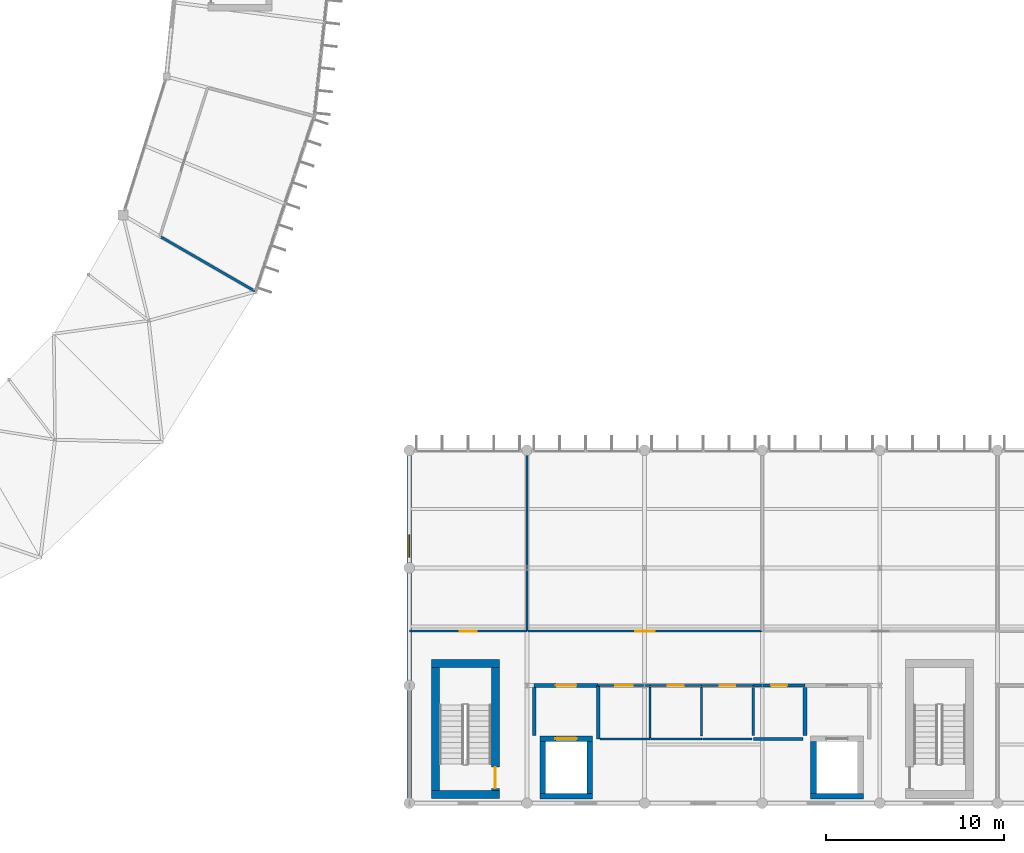
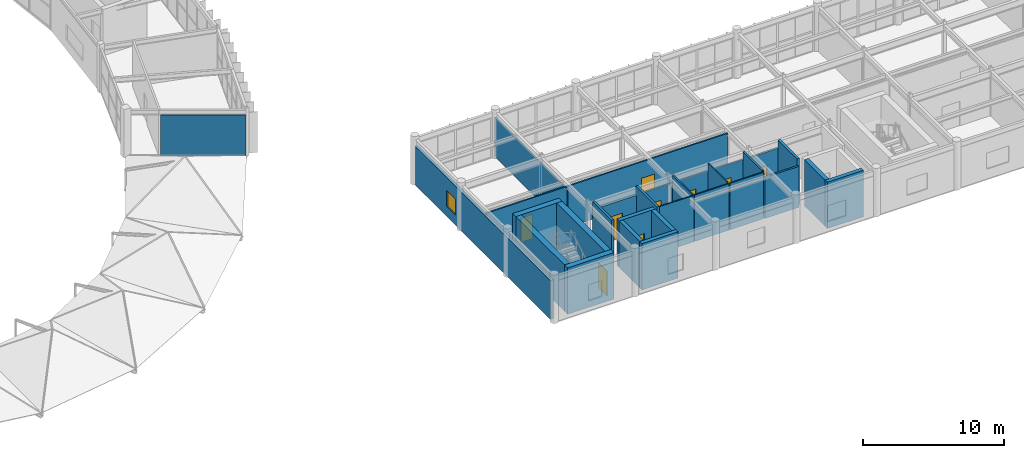
# One storey, part 55 of 66: 30 walls, 9 doors, 1 window, 10 openings.
"""IFC4 building model written with IfcOpenShell, lengths in metres."""

from ifc_helpers import new_model, si_unit, direction, frame, frame_2d, origin, place, context, subcontext, project, spatial, rectangle, extrude, material, layer, layer_set, type_object, element, fill, save


model = new_model("IFC4")

# Units and contexts
model_context = context("Model", 3, precision=1e-05, world=origin(), true_north=direction((0.0, 1.0)))
body_context = subcontext(model_context, "Body", "Model", "MODEL_VIEW")
ifc_project = project(units=[si_unit("LENGTHUNIT", "METRE"), si_unit("AREAUNIT", "SQUARE_METRE"), si_unit("VOLUMEUNIT", "CUBIC_METRE"), si_unit("PLANEANGLEUNIT", "RADIAN"), si_unit("MASSUNIT", "GRAM", prefix="KILO")], contexts=[model_context])

# Site, building, storey
site_placement = place(None, origin())
site = spatial("IfcSite", under=ifc_project, at=site_placement, CompositionType="ELEMENT")
building_placement = place(site_placement, origin())
building = spatial("IfcBuilding", under=site, at=building_placement, Name="Karori Crest Natural Sciences Institute", CompositionType="ELEMENT")
storey_placement = place(building_placement, frame((0.0, 0.0, 30.10009765625)))
storey = spatial("IfcBuildingStorey", under=building, at=storey_placement, Name="L07", CompositionType="ELEMENT", Elevation=30.10009765625)

# Walls
ifc_material_1 = material(Name="Concrete 50 MPa", Category="concrete")
ifc_layer_1 = layer(ifc_material_1, 0.449951171875, Name="Concrete 50 MPa")
ifc_layer_set_1 = layer_set([ifc_layer_1], Name="Concrete 50 MPa")
wall_type_1 = type_object("IfcWallType", Name="IWT-01", PredefinedType="SHEAR", material=ifc_layer_set_1)
for number, where, z_axis, x_axis, name in (
    (1, (104.85009765625, 1.27490234375, 0.0), (0.0, 0.0, 1.0), (1.0, 0.0, 0.0), "Shear wall IW-0101"),
    (2, (104.85009765625, 8.625, 0.0), (0.0, 0.0, 1.0), (1.0, 0.0, 0.0), "Shear wall IW-0102"),
):
    element("IfcWall", number, at=place(storey_placement, frame(where, z_axis=z_axis, x_axis=x_axis)), inside=storey, type_object=wall_type_1, Name=name, PredefinedType="SHEAR", context=body_context, shape_type="SweptSolid", body=[
        extrude(rectangle(XDim=3.7998046875, YDim=0.449951171875, at=frame_2d((1.89990234375, 0.0))), origin(), (0.0, 0.0, 1.0), 4.02001953125),
    ])
wall_1_placement = place(storey_placement, frame((105.074951171875, 1.501953125, 0.0), z_axis=(0.0, 0.0, 1.0), x_axis=(0.0, 1.0, 0.0)))
element("IfcWall", 3, at=wall_1_placement, inside=storey, type_object=wall_type_1, Name="Shear wall IW-0103", PredefinedType="SHEAR", context=body_context, shape_type="SweptSolid", body=[
    extrude(rectangle(XDim=6.89599609375, YDim=0.449951171875, at=frame_2d((3.447998046875, 0.0))), origin(), (0.0, 0.0, 1.0), 4.02001953125),
])

# Wall, opening, door
wall_2_placement = place(storey_placement, frame((108.425048828125, 1.501953125, 0.0), z_axis=(0.0, 0.0, 1.0), x_axis=(0.0, 1.0, 0.0)))
wall_2 = element("IfcWall", 4, at=wall_2_placement, inside=storey, type_object=wall_type_1, Name="Shear wall IW-0104", PredefinedType="SHEAR", context=body_context, shape_type="SweptSolid", body=[
    extrude(rectangle(XDim=6.89599609375, YDim=0.449951171875, at=frame_2d((3.447998046875, 0.0))), origin(), (0.0, 0.0, 1.0), 4.02001953125),
])
opening_1_placement = place(wall_2_placement, frame((0.1201171875, 0.0, 0.0)))
opening_1 = element("IfcOpeningElement", 5, at=opening_1_placement, cuts=wall_2, Name="Opening ID-0026", PredefinedType="OPENING", context=body_context, shape_type="SweptSolid", body=[
    extrude(rectangle(XDim=1.199951171875, YDim=2.14990234375, at=frame_2d((0.60009765625, 1.074951171875))), frame((0.0, 0.23486328125, 0.0), z_axis=(0.0, -1.0, 0.0), x_axis=(1.0, 0.0, 0.0)), (0.0, 0.0, 1.0), 0.469970703125),
])
ifc_material_2 = material(Name="Stainless steel 316 and fire-rated timber", Category="steel")
door_type_1 = type_object("IfcDoorType", Name="IDT-01", OperationType="NOTDEFINED", PredefinedType="DOOR", material=ifc_material_2)
door_1_placement = place(opening_1_placement, origin())
door_1 = element("IfcDoor", 6, at=door_1_placement, inside=storey, type_object=door_type_1, Name="Stair ST-03 fire door ID-0026", OperationType="SINGLE_SWING_RIGHT", OverallHeight=2.14990234375, OverallWidth=1.199951171875, PredefinedType="DOOR", context=body_context, shape_type="SweptSolid", body=[
    extrude(rectangle(XDim=1.199951171875, YDim=2.14990234375, at=frame_2d((0.60009765625, 1.074951171875))), frame((0.0, 0.02490234375, 0.0), z_axis=(0.0, -1.0, 0.0), x_axis=(1.0, 0.0, 0.0)), (0.0, 0.0, 1.0), 0.050048828125),
])
fill(opening_1, door_1)

# Wall
ifc_layer_2 = layer(ifc_material_1, 0.320068359375, Name="Concrete 50 MPa")
ifc_layer_set_2 = layer_set([ifc_layer_2], Name="Concrete 50 MPa")
wall_type_2 = type_object("IfcWallType", Name="IWT-03", PredefinedType="SHEAR", material=ifc_layer_set_2)
wall_3_placement = place(storey_placement, frame((110.919921875, 1.179931640625, 0.0), z_axis=(0.0, 0.0, 1.0), x_axis=(1.0, 0.0, 0.0)))
element("IfcWall", 7, at=wall_3_placement, inside=storey, type_object=wall_type_2, Name="Shear wall IW-0337", PredefinedType="SHEAR", context=body_context, shape_type="SweptSolid", body=[
    extrude(rectangle(XDim=2.9599609375, YDim=0.320068359375, at=frame_2d((1.47998046875, 0.0))), origin(), (0.0, 0.0, 1.0), 4.02001953125),
])

# Wall, opening, door
wall_4_placement = place(storey_placement, frame((110.919921875, 4.419921875, 0.0), z_axis=(0.0, 0.0, 1.0), x_axis=(1.0, 0.0, 0.0)))
wall_4 = element("IfcWall", 8, at=wall_4_placement, inside=storey, type_object=wall_type_2, Name="Shear wall IW-0338", PredefinedType="SHEAR", context=body_context, shape_type="SweptSolid", body=[
    extrude(rectangle(XDim=2.9599609375, YDim=0.320068359375, at=frame_2d((1.47998046875, 0.0))), origin(), (0.0, 0.0, 1.0), 4.02001953125),
])
opening_2_placement = place(wall_4_placement, frame((0.8798828125, 0.0, 0.0)))
opening_2 = element("IfcOpeningElement", 9, at=opening_2_placement, cuts=wall_4, Name="Opening LD-0009", PredefinedType="OPENING", context=body_context, shape_type="SweptSolid", body=[
    extrude(rectangle(XDim=1.199951171875, YDim=2.199951171875, at=frame_2d((0.60009765625, 1.10009765625))), frame((0.0, 0.169921875, 0.0), z_axis=(0.0, -1.0, 0.0), x_axis=(1.0, 0.0, 0.0)), (0.0, 0.0, 1.0), 0.340087890625),
])
door_type_2 = type_object("IfcDoorType", Name="LDT-02", OperationType="SLIDING_TO_LEFT", PredefinedType="DOOR", material=ifc_material_2)
door_2_placement = place(opening_2_placement, origin())
door_2 = element("IfcDoor", 10, at=door_2_placement, inside=storey, type_object=door_type_2, Name="Lift LF-01 landing door LD-0009", OperationType="SLIDING_TO_LEFT", OverallHeight=2.199951171875, OverallWidth=1.199951171875, PredefinedType="DOOR", context=body_context, shape_type="SweptSolid", body=[
    extrude(rectangle(XDim=1.199951171875, YDim=2.199951171875, at=frame_2d((0.60009765625, 1.10009765625))), frame((0.0, 0.02490234375, 0.0), z_axis=(0.0, -1.0, 0.0), x_axis=(1.0, 0.0, 0.0)), (0.0, 0.0, 1.0), 0.050048828125),
])
fill(opening_2, door_2)

# Walls
for number, where, z_axis, x_axis, name in (
    (11, (111.080078125, 1.342041015625, 0.0), (0.0, 0.0, 1.0), (0.0, 1.0, 0.0), "Shear wall IW-0339"),
    (12, (113.719970703125, 1.342041015625, 0.0), (0.0, 0.0, 1.0), (0.0, 1.0, 0.0), "Shear wall IW-0340"),
):
    element("IfcWall", number, at=place(storey_placement, frame(where, z_axis=z_axis, x_axis=x_axis)), inside=storey, type_object=wall_type_2, Name=name, PredefinedType="SHEAR", context=body_context, shape_type="SweptSolid", body=[
        extrude(rectangle(XDim=2.916015625, YDim=0.320068359375, at=frame_2d((1.4580078125, 0.0))), origin(), (0.0, 0.0, 1.0), 4.02001953125),
    ])
wall_5_placement = place(storey_placement, frame((126.1201171875, 1.179931640625, 0.0), z_axis=(0.0, 0.0, 1.0), x_axis=(1.0, 0.0, 0.0)))
element("IfcWall", 13, at=wall_5_placement, inside=storey, type_object=wall_type_2, Name="Shear wall IW-0385", PredefinedType="SHEAR", context=body_context, shape_type="SweptSolid", body=[
    extrude(rectangle(XDim=2.9599609375, YDim=0.320068359375, at=frame_2d((1.47998046875, 0.0))), origin(), (0.0, 0.0, 1.0), 4.02001953125),
])
wall_6_placement = place(storey_placement, frame((126.280029296875, 1.342041015625, 0.0), z_axis=(0.0, 0.0, 1.0), x_axis=(0.0, 1.0, 0.0)))
element("IfcWall", 14, at=wall_6_placement, inside=storey, type_object=wall_type_2, Name="Shear wall IW-0387", PredefinedType="SHEAR", context=body_context, shape_type="SweptSolid", body=[
    extrude(rectangle(XDim=2.916015625, YDim=0.320068359375, at=frame_2d((1.4580078125, 0.0))), origin(), (0.0, 0.0, 1.0), 4.02001953125),
])

# Wall, opening, door
ifc_material_3 = material(Name="Concrete 40 MPa", Category="concrete")
ifc_layer_3 = layer(ifc_material_3, 0.199951171875, Name="Concrete 40 MPa")
ifc_layer_set_3 = layer_set([ifc_layer_3], Name="Concrete 40 MPa")
wall_type_3 = type_object("IfcWallType", Name="IWT-04", PredefinedType="SOLIDWALL", material=ifc_layer_set_3)
wall_7_placement = place(storey_placement, frame((110.60009765625, 7.39990234375, 0.0), z_axis=(0.0, 0.0, 1.0), x_axis=(1.0, 0.0, 0.0)))
wall_7 = element("IfcWall", 15, at=wall_7_placement, inside=storey, type_object=wall_type_3, Name="Partition wall IW-0780", PredefinedType="SOLIDWALL", context=body_context, shape_type="SweptSolid", body=[
    extrude(rectangle(XDim=3.599853515625, YDim=0.199951171875, at=frame_2d((1.7998046875, 0.0))), origin(), (0.0, 0.0, 1.0), 3.29296875),
])
opening_3_placement = place(wall_7_placement, frame((1.22509765625, 0.0, 0.0)))
opening_3 = element("IfcOpeningElement", 16, at=opening_3_placement, cuts=wall_7, Name="Opening ID-0174", PredefinedType="OPENING", context=body_context, shape_type="SweptSolid", body=[
    extrude(rectangle(XDim=1.14990234375, YDim=2.14990234375, at=frame_2d((0.574951171875, 1.074951171875))), frame((0.0, 0.10986328125, 0.0), z_axis=(0.0, -1.0, 0.0), x_axis=(1.0, 0.0, 0.0)), (0.0, 0.0, 1.0), 0.219970703125),
])
door_type_3 = type_object("IfcDoorType", Name="IDT-02", OperationType="NOTDEFINED", PredefinedType="DOOR", material=ifc_material_2)
door_3_placement = place(opening_3_placement, origin())
door_3 = element("IfcDoor", 17, at=door_3_placement, inside=storey, type_object=door_type_3, Name="Firefighting Lift Lobby West door ID-0174", OperationType="SINGLE_SWING_LEFT", OverallHeight=2.14990234375, OverallWidth=1.14990234375, PredefinedType="DOOR", context=body_context, shape_type="SweptSolid", body=[
    extrude(rectangle(XDim=1.14990234375, YDim=2.14990234375, at=frame_2d((0.574951171875, 1.074951171875))), frame((0.0, 0.02490234375, 0.0), z_axis=(0.0, -1.0, 0.0), x_axis=(1.0, 0.0, 0.0)), (0.0, 0.0, 1.0), 0.050048828125),
])
fill(opening_3, door_3)

# Walls
wall_8_placement = place(storey_placement, frame((110.60009765625, 4.58203125, 0.0), z_axis=(0.0, 0.0, 1.0), x_axis=(0.0, 1.0, 0.0)))
element("IfcWall", 18, at=wall_8_placement, inside=storey, type_object=wall_type_3, Name="Partition wall IW-0781", PredefinedType="SOLIDWALL", context=body_context, shape_type="SweptSolid", body=[
    extrude(rectangle(XDim=2.716064453125, YDim=0.199951171875, at=frame_2d((1.35791015625, 0.0))), origin(), (0.0, 0.0, 1.0), 4.02001953125),
])
wall_9_placement = place(storey_placement, frame((114.199951171875, 4.39990234375, 0.0), z_axis=(0.0, 0.0, 1.0), x_axis=(0.0, 1.0, 0.0)))
element("IfcWall", 19, at=wall_9_placement, inside=storey, type_object=wall_type_3, Name="Partition wall IW-0782", PredefinedType="SOLIDWALL", context=body_context, shape_type="SweptSolid", body=[
    extrude(rectangle(XDim=3.0, YDim=0.199951171875, at=frame_2d((1.5, 0.0))), origin(), (0.0, 0.0, 1.0), 4.02001953125),
])
wall_10_placement = place(storey_placement, frame((125.800048828125, 4.58203125, 0.0), z_axis=(0.0, 0.0, 1.0), x_axis=(0.0, 1.0, 0.0)))
element("IfcWall", 20, at=wall_10_placement, inside=storey, type_object=wall_type_3, Name="Partition wall IW-0784", PredefinedType="SOLIDWALL", context=body_context, shape_type="SweptSolid", body=[
    extrude(rectangle(XDim=2.716064453125, YDim=0.199951171875, at=frame_2d((1.35791015625, 0.0))), origin(), (0.0, 0.0, 1.0), 4.02001953125),
])
ifc_material_4 = material(Name="Acoustic steel-stud fireboard partition", Category="steel")
ifc_layer_4 = layer(ifc_material_4, 0.159912109375, Name="Acoustic steel-stud fireboard partition")
ifc_layer_set_4 = layer_set([ifc_layer_4], Name="Acoustic steel-stud fireboard partition")
wall_type_4 = type_object("IfcWallType", Name="IWT-05", PredefinedType="PARTITIONING", material=ifc_layer_set_4)
wall_11_placement = place(storey_placement, frame((122.89990234375, 4.39990234375, 0.0), z_axis=(0.0, 0.0, 1.0), x_axis=(1.0, 0.0, 0.0)))
element("IfcWall", 21, at=wall_11_placement, inside=storey, type_object=wall_type_4, Name="Partition wall IW-0786", PredefinedType="PARTITIONING", context=body_context, shape_type="SweptSolid", body=[
    extrude(rectangle(XDim=2.798095703125, YDim=0.159912109375, at=frame_2d((1.39892578125, 0.0))), origin(), (0.0, 0.0, 1.0), 3.5458984375),
])

# Wall, opening, door
wall_12_placement = place(storey_placement, frame((122.89990234375, 7.39990234375, 0.0), z_axis=(0.0, 0.0, 1.0), x_axis=(1.0, 0.0, 0.0)))
wall_12 = element("IfcWall", 22, at=wall_12_placement, inside=storey, type_object=wall_type_4, Name="Partition wall IW-0787", PredefinedType="PARTITIONING", context=body_context, shape_type="SweptSolid", body=[
    extrude(rectangle(XDim=2.898193359375, YDim=0.159912109375, at=frame_2d((1.44921875, 0.0))), origin(), (0.0, 0.0, 1.0), 3.29296875),
])
opening_4_placement = place(wall_12_placement, frame((0.9990234375, 0.0, 0.0)))
opening_4 = element("IfcOpeningElement", 23, at=opening_4_placement, cuts=wall_12, Name="Opening ID-0176", PredefinedType="OPENING", context=body_context, shape_type="SweptSolid", body=[
    extrude(rectangle(XDim=0.89990234375, YDim=2.10009765625, at=frame_2d((0.449951171875, 1.050048828125))), frame((0.0, 0.08984375, 0.0), z_axis=(0.0, -1.0, 0.0), x_axis=(1.0, 0.0, 0.0)), (0.0, 0.0, 1.0), 0.179931640625),
])
door_type_4 = type_object("IfcDoorType", Name="IDT-07", OperationType="NOTDEFINED", PredefinedType="DOOR", material=ifc_material_2)
door_4_placement = place(opening_4_placement, origin())
door_4 = element("IfcDoor", 24, at=door_4_placement, inside=storey, type_object=door_type_4, Name="Research Archive Store door ID-0176", OperationType="SINGLE_SWING_LEFT", OverallHeight=2.10009765625, OverallWidth=0.89990234375, PredefinedType="DOOR", context=body_context, shape_type="SweptSolid", body=[
    extrude(rectangle(XDim=0.89990234375, YDim=2.10009765625, at=frame_2d((0.449951171875, 1.050048828125))), frame((0.0, 0.02490234375, 0.0), z_axis=(0.0, -1.0, 0.0), x_axis=(1.0, 0.0, 0.0)), (0.0, 0.0, 1.0), 0.050048828125),
])
fill(opening_4, door_4)

# Walls
wall_13_placement = place(storey_placement, frame((122.89990234375, 4.58203125, 0.0), z_axis=(0.0, 0.0, 1.0), x_axis=(0.0, 1.0, 0.0)))
element("IfcWall", 25, at=wall_13_placement, inside=storey, type_object=wall_type_4, Name="Partition wall IW-0788", PredefinedType="PARTITIONING", context=body_context, shape_type="SweptSolid", body=[
    extrude(rectangle(XDim=2.716064453125, YDim=0.159912109375, at=frame_2d((1.35791015625, 0.0))), origin(), (0.0, 0.0, 1.0), 4.02001953125),
])
ifc_material_5 = material(Name="Laboratory acoustic drywall partition")
ifc_layer_5 = layer(ifc_material_5, 0.139892578125, Name="Laboratory acoustic drywall partition")
ifc_layer_set_5 = layer_set([ifc_layer_5], Name="Laboratory acoustic drywall partition")
wall_type_5 = type_object("IfcWallType", Name="IWT-07", PredefinedType="PARTITIONING", material=ifc_layer_set_5)
wall_14_placement = place(storey_placement, frame((89.6787109375, 32.56005859375, 0.0), z_axis=(0.0, 0.0, 1.0), x_axis=(0.866020543329, -0.500008418462, 0.0)))
element("IfcWall", 26, at=wall_14_placement, inside=storey, type_object=wall_type_5, Name="Partition wall IW-1441", PredefinedType="PARTITIONING", context=body_context, shape_type="SweptSolid", body=[
    extrude(rectangle(XDim=6.06005859375, YDim=0.139892578125, at=frame_2d((3.030029296875, 0.0))), origin(), (0.0, 0.0, 1.0), 3.52197265625),
])

# Wall, opening, door
ifc_material_6 = material(Name="Write-up office acoustic partition")
ifc_layer_6 = layer(ifc_material_6, 0.1201171875, Name="Write-up office acoustic partition")
ifc_layer_set_6 = layer_set([ifc_layer_6], Name="Write-up office acoustic partition")
wall_type_6 = type_object("IfcWallType", Name="IWT-08", PredefinedType="PARTITIONING", material=ifc_layer_set_6)
wall_15_placement = place(storey_placement, frame((103.60009765625, 10.449951171875, 0.0), z_axis=(0.0, 0.0, 1.0), x_axis=(1.0, 0.0, 0.0)))
wall_15 = element("IfcWall", 27, at=wall_15_placement, inside=storey, type_object=wall_type_6, Name="Partition wall IW-0801", PredefinedType="PARTITIONING", context=body_context, shape_type="SweptSolid", body=[
    extrude(rectangle(XDim=6.599853515625, YDim=0.1201171875, at=frame_2d((3.2998046875, 0.0))), origin(), (0.0, 0.0, 1.0), 3.5458984375),
])
opening_5_placement = place(wall_15_placement, frame((2.824951171875, 0.0, 0.0)))
opening_5 = element("IfcOpeningElement", 28, at=opening_5_placement, cuts=wall_15, Name="Opening ID-0182", PredefinedType="OPENING", context=body_context, shape_type="SweptSolid", body=[
    extrude(rectangle(XDim=0.949951171875, YDim=2.10009765625, at=frame_2d((0.47509765625, 1.050048828125))), frame((0.0, 0.070068359375, 0.0), z_axis=(0.0, -1.0, 0.0), x_axis=(1.0, 0.0, 0.0)), (0.0, 0.0, 1.0), 0.14013671875),
])
ifc_material_7 = material(Name="Anodised aluminium and acoustic timber", Category="wood")
door_type_5 = type_object("IfcDoorType", Name="IDT-08", OperationType="NOTDEFINED", PredefinedType="DOOR", material=ifc_material_7)
door_5_placement = place(opening_5_placement, origin())
door_5 = element("IfcDoor", 29, at=door_5_placement, inside=storey, type_object=door_type_5, Name="Collaborative Write-Up Suite door ID-0182", OperationType="SINGLE_SWING_LEFT", OverallHeight=2.10009765625, OverallWidth=0.949951171875, PredefinedType="DOOR", context=body_context, shape_type="SweptSolid", body=[
    extrude(rectangle(XDim=0.949951171875, YDim=2.10009765625, at=frame_2d((0.47509765625, 1.050048828125))), frame((0.0, 0.02490234375, 0.0), z_axis=(0.0, -1.0, 0.0), x_axis=(1.0, 0.0, 0.0)), (0.0, 0.0, 1.0), 0.050048828125),
])
fill(opening_5, door_5)

# Wall
wall_16_placement = place(storey_placement, frame((110.199951171875, 10.449951171875, 0.0), z_axis=(0.0, 0.0, 1.0), x_axis=(0.0, 1.0, 0.0)))
element("IfcWall", 30, at=wall_16_placement, inside=storey, type_object=wall_type_6, Name="Partition wall IW-0802", PredefinedType="PARTITIONING", context=body_context, shape_type="SweptSolid", body=[
    extrude(rectangle(XDim=10.150146484375, YDim=0.1201171875, at=frame_2d((5.0751953125, 0.0))), origin(), (0.0, 0.0, 1.0), 3.371826171875),
])

# Wall, opening, door
wall_17_placement = place(storey_placement, frame((110.261962890625, 10.449951171875, 0.0), z_axis=(0.0, 0.0, 1.0), x_axis=(1.0, 0.0, 0.0)))
wall_17 = element("IfcWall", 31, at=wall_17_placement, inside=storey, type_object=wall_type_6, Name="Partition wall IW-0803", PredefinedType="PARTITIONING", context=body_context, shape_type="SweptSolid", body=[
    extrude(rectangle(XDim=13.137939453125, YDim=0.1201171875, at=frame_2d((6.56884765625, 0.0))), origin(), (0.0, 0.0, 1.0), 3.5458984375),
])
opening_6_placement = place(wall_17_placement, frame((6.029052734375, 0.0, 0.0)))
opening_6 = element("IfcOpeningElement", 32, at=opening_6_placement, cuts=wall_17, Name="Opening ID-0183", PredefinedType="OPENING", context=body_context, shape_type="SweptSolid", body=[
    extrude(rectangle(XDim=1.080078125, YDim=2.1201171875, at=frame_2d((0.5400390625, 1.06005859375))), frame((0.0, 0.070068359375, 0.0), z_axis=(0.0, -1.0, 0.0), x_axis=(1.0, 0.0, 0.0)), (0.0, 0.0, 1.0), 0.14013671875),
])
door_type_6 = type_object("IfcDoorType", Name="IDT-12", OperationType="NOTDEFINED", PredefinedType="DOOR", material=ifc_material_7)
door_6_placement = place(opening_6_placement, origin())
door_6 = element("IfcDoor", 33, at=door_6_placement, inside=storey, type_object=door_type_6, Name="Climate Data Studio door ID-0183", OperationType="SINGLE_SWING_RIGHT", OverallHeight=2.1201171875, OverallWidth=1.080078125, PredefinedType="DOOR", context=body_context, shape_type="SweptSolid", body=[
    extrude(rectangle(XDim=1.080078125, YDim=2.1201171875, at=frame_2d((0.5400390625, 1.06005859375))), frame((0.0, 0.02490234375, 0.0), z_axis=(0.0, -1.0, 0.0), x_axis=(1.0, 0.0, 0.0)), (0.0, 0.0, 1.0), 0.050048828125),
])
fill(opening_6, door_6)

# Wall
ifc_material_8 = material(Name="Washroom moisture-resistant partition")
ifc_layer_7 = layer(ifc_material_8, 0.10009765625, Name="Washroom moisture-resistant partition")
ifc_layer_set_7 = layer_set([ifc_layer_7], Name="Washroom moisture-resistant partition")
wall_type_7 = type_object("IfcWallType", Name="IWT-09", PredefinedType="PARTITIONING", material=ifc_layer_set_7)
wall_18_placement = place(storey_placement, frame((114.302001953125, 4.39990234375, 0.0), z_axis=(0.0, 0.0, 1.0), x_axis=(1.0, 0.0, 0.0)))
element("IfcWall", 34, at=wall_18_placement, inside=storey, type_object=wall_type_7, Name="Partition wall IW-0789", PredefinedType="PARTITIONING", context=body_context, shape_type="SweptSolid", body=[
    extrude(rectangle(XDim=2.798095703125, YDim=0.10009765625, at=frame_2d((1.39892578125, 0.0))), origin(), (0.0, 0.0, 1.0), 4.02001953125),
])

# Wall, opening, door
wall_19_placement = place(storey_placement, frame((114.201904296875, 7.39990234375, 0.0), z_axis=(0.0, 0.0, 1.0), x_axis=(1.0, 0.0, 0.0)))
wall_19 = element("IfcWall", 35, at=wall_19_placement, inside=storey, type_object=wall_type_7, Name="Partition wall IW-0790", PredefinedType="PARTITIONING", context=body_context, shape_type="SweptSolid", body=[
    extrude(rectangle(XDim=2.898193359375, YDim=0.10009765625, at=frame_2d((1.44921875, 0.0))), origin(), (0.0, 0.0, 1.0), 3.29296875),
])
opening_7_placement = place(wall_19_placement, frame((0.948974609375, 0.0, 0.0)))
opening_7 = element("IfcOpeningElement", 36, at=opening_7_placement, cuts=wall_19, Name="Opening ID-0177", PredefinedType="OPENING", context=body_context, shape_type="SweptSolid", body=[
    extrude(rectangle(XDim=1.0, YDim=2.10009765625, at=frame_2d((0.5, 1.050048828125))), frame((0.0, 0.06005859375, 0.0), z_axis=(0.0, -1.0, 0.0), x_axis=(1.0, 0.0, 0.0)), (0.0, 0.0, 1.0), 0.1201171875),
])
door_type_7 = type_object("IfcDoorType", Name="IDT-09", OperationType="NOTDEFINED", PredefinedType="DOOR", material=ifc_material_7)
door_7_placement = place(opening_7_placement, origin())
door_7 = element("IfcDoor", 37, at=door_7_placement, inside=storey, type_object=door_type_7, Name="Accessible WC door ID-0177", OperationType="SINGLE_SWING_RIGHT", OverallHeight=2.10009765625, OverallWidth=1.0, PredefinedType="DOOR", context=body_context, shape_type="SweptSolid", body=[
    extrude(rectangle(XDim=1.0, YDim=2.10009765625, at=frame_2d((0.5, 1.050048828125))), frame((0.0, 0.02490234375, 0.0), z_axis=(0.0, -1.0, 0.0), x_axis=(1.0, 0.0, 0.0)), (0.0, 0.0, 1.0), 0.050048828125),
])
fill(opening_7, door_7)

# Walls
wall_20_placement = place(storey_placement, frame((117.10009765625, 4.48193359375, 0.0), z_axis=(0.0, 0.0, 1.0), x_axis=(0.0, 1.0, 0.0)))
element("IfcWall", 38, at=wall_20_placement, inside=storey, type_object=wall_type_7, Name="Partition wall IW-0791", PredefinedType="PARTITIONING", context=body_context, shape_type="SweptSolid", body=[
    extrude(rectangle(XDim=2.816162109375, YDim=0.10009765625, at=frame_2d((1.408203125, 0.0))), origin(), (0.0, 0.0, 1.0), 4.02001953125),
])
wall_21_placement = place(storey_placement, frame((117.152099609375, 4.39990234375, 0.0), z_axis=(0.0, 0.0, 1.0), x_axis=(1.0, 0.0, 0.0)))
element("IfcWall", 39, at=wall_21_placement, inside=storey, type_object=wall_type_7, Name="Partition wall IW-0792", PredefinedType="PARTITIONING", context=body_context, shape_type="SweptSolid", body=[
    extrude(rectangle(XDim=2.847900390625, YDim=0.10009765625, at=frame_2d((1.423828125, 0.0))), origin(), (0.0, 0.0, 1.0), 4.02001953125),
])

# Wall, opening, door
wall_22_placement = place(storey_placement, frame((117.10205078125, 7.39990234375, 0.0), z_axis=(0.0, 0.0, 1.0), x_axis=(1.0, 0.0, 0.0)))
wall_22 = element("IfcWall", 40, at=wall_22_placement, inside=storey, type_object=wall_type_7, Name="Partition wall IW-0793", PredefinedType="PARTITIONING", context=body_context, shape_type="SweptSolid", body=[
    extrude(rectangle(XDim=2.89794921875, YDim=0.10009765625, at=frame_2d((1.448974609375, 0.0))), origin(), (0.0, 0.0, 1.0), 3.29296875),
])
opening_8_placement = place(wall_22_placement, frame((1.009033203125, 0.0, 0.0)))
opening_8 = element("IfcOpeningElement", 41, at=opening_8_placement, cuts=wall_22, Name="Opening ID-0178", PredefinedType="OPENING", context=body_context, shape_type="SweptSolid", body=[
    extrude(rectangle(XDim=0.8798828125, YDim=2.080078125, at=frame_2d((0.43994140625, 1.0400390625))), frame((0.0, 0.06005859375, 0.0), z_axis=(0.0, -1.0, 0.0), x_axis=(1.0, 0.0, 0.0)), (0.0, 0.0, 1.0), 0.1201171875),
])
door_type_8 = type_object("IfcDoorType", Name="IDT-10", OperationType="NOTDEFINED", PredefinedType="DOOR", material=ifc_material_7)
door_8_placement = place(opening_8_placement, origin())
door_8 = element("IfcDoor", 42, at=door_8_placement, inside=storey, type_object=door_type_8, Name="Female Washroom WC door ID-0178", OperationType="SINGLE_SWING_LEFT", OverallHeight=2.080078125, OverallWidth=0.8798828125, PredefinedType="DOOR", context=body_context, shape_type="SweptSolid", body=[
    extrude(rectangle(XDim=0.8798828125, YDim=2.080078125, at=frame_2d((0.43994140625, 1.0400390625))), frame((0.0, 0.02490234375, 0.0), z_axis=(0.0, -1.0, 0.0), x_axis=(1.0, 0.0, 0.0)), (0.0, 0.0, 1.0), 0.050048828125),
])
fill(opening_8, door_8)

# Walls
wall_23_placement = place(storey_placement, frame((120.0, 4.58203125, 0.0), z_axis=(0.0, 0.0, 1.0), x_axis=(0.0, 1.0, 0.0)))
element("IfcWall", 43, at=wall_23_placement, inside=storey, type_object=wall_type_7, Name="Partition wall IW-0794", PredefinedType="PARTITIONING", context=body_context, shape_type="SweptSolid", body=[
    extrude(rectangle(XDim=2.716064453125, YDim=0.10009765625, at=frame_2d((1.35791015625, 0.0))), origin(), (0.0, 0.0, 1.0), 4.02001953125),
])
wall_24_placement = place(storey_placement, frame((120.052001953125, 4.39990234375, 0.0), z_axis=(0.0, 0.0, 1.0), x_axis=(1.0, 0.0, 0.0)))
element("IfcWall", 44, at=wall_24_placement, inside=storey, type_object=wall_type_7, Name="Partition wall IW-0795", PredefinedType="PARTITIONING", context=body_context, shape_type="SweptSolid", body=[
    extrude(rectangle(XDim=2.76611328125, YDim=0.10009765625, at=frame_2d((1.383056640625, 0.0))), origin(), (0.0, 0.0, 1.0), 4.02001953125),
])

# Wall, opening, door
wall_25_placement = place(storey_placement, frame((120.001953125, 7.39990234375, 0.0), z_axis=(0.0, 0.0, 1.0), x_axis=(1.0, 0.0, 0.0)))
wall_25 = element("IfcWall", 45, at=wall_25_placement, inside=storey, type_object=wall_type_7, Name="Partition wall IW-0796", PredefinedType="PARTITIONING", context=body_context, shape_type="SweptSolid", body=[
    extrude(rectangle(XDim=2.89599609375, YDim=0.10009765625, at=frame_2d((1.447998046875, 0.0))), origin(), (0.0, 0.0, 1.0), 3.29296875),
])
opening_9_placement = place(wall_25_placement, frame((1.008056640625, 0.0, 0.0)))
opening_9 = element("IfcOpeningElement", 46, at=opening_9_placement, cuts=wall_25, Name="Opening ID-0179", PredefinedType="OPENING", context=body_context, shape_type="SweptSolid", body=[
    extrude(rectangle(XDim=0.8798828125, YDim=2.080078125, at=frame_2d((0.43994140625, 1.0400390625))), frame((0.0, 0.06005859375, 0.0), z_axis=(0.0, -1.0, 0.0), x_axis=(1.0, 0.0, 0.0)), (0.0, 0.0, 1.0), 0.1201171875),
])
door_9_placement = place(opening_9_placement, origin())
door_9 = element("IfcDoor", 47, at=door_9_placement, inside=storey, type_object=door_type_8, Name="Male Washroom WC door ID-0179", OperationType="SINGLE_SWING_RIGHT", OverallHeight=2.080078125, OverallWidth=0.8798828125, PredefinedType="DOOR", context=body_context, shape_type="SweptSolid", body=[
    extrude(rectangle(XDim=0.8798828125, YDim=2.080078125, at=frame_2d((0.43994140625, 1.0400390625))), frame((0.0, 0.02490234375, 0.0), z_axis=(0.0, -1.0, 0.0), x_axis=(1.0, 0.0, 0.0)), (0.0, 0.0, 1.0), 0.050048828125),
])
fill(opening_9, door_9)

# Wall, opening, window
ifc_material_9 = material(Name="Precast concrete 40 MPa", Category="concrete")
ifc_layer_8 = layer(ifc_material_9, 0.239990234375, Name="Precast concrete 40 MPa")
ifc_layer_set_8 = layer_set([ifc_layer_8], Name="Precast concrete 40 MPa")
wall_type_8 = type_object("IfcWallType", Name="WT-04", PredefinedType="SOLIDWALL", material=ifc_layer_set_8)
wall_26_placement = place(storey_placement, frame((103.60009765625, 1.097900390625, 0.0), z_axis=(0.0, 0.0, 1.0), x_axis=(0.0, 1.0, 0.0)))
wall_26 = element("IfcWall", 48, at=wall_26_placement, inside=storey, type_object=wall_type_8, Name="Exterior wall EW-0215", PredefinedType="SOLIDWALL", context=body_context, shape_type="SweptSolid", body=[
    extrude(rectangle(XDim=19.2041015625, YDim=0.239990234375, at=frame_2d((9.60205078125, 0.0))), origin(), (0.0, 0.0, 1.0), 3.371826171875),
])
opening_10_placement = place(wall_26_placement, frame((13.5, 0.0, 0.85009765625)))
opening_10 = element("IfcOpeningElement", 49, at=opening_10_placement, cuts=wall_26, Name="Opening WN-0202", PredefinedType="OPENING", context=body_context, shape_type="SweptSolid", body=[
    extrude(rectangle(XDim=1.25, YDim=1.39990234375, at=frame_2d((0.625, 0.699951171875))), frame((0.0, 0.1298828125, 0.0), z_axis=(0.0, -1.0, 0.0), x_axis=(1.0, 0.0, 0.0)), (0.0, 0.0, 1.0), 0.260009765625),
])
ifc_material_10 = material(Name="Double low-E laminated glass", Category="glass")
window_type = type_object("IfcWindowType", Name="WNT-02", PartitioningType="SINGLE_PANEL", PredefinedType="WINDOW", material=ifc_material_10)
window_placement = place(opening_10_placement, origin())
window = element("IfcWindow", 50, at=window_placement, inside=storey, type_object=window_type, Name="Window WN-0202", OverallHeight=1.39990234375, OverallWidth=1.25, PartitioningType="SINGLE_PANEL", PredefinedType="WINDOW", context=body_context, shape_type="SweptSolid", body=[
    extrude(rectangle(XDim=1.25, YDim=1.39990234375, at=frame_2d((0.625, 0.699951171875))), frame((0.0, 0.030029296875, 0.0), z_axis=(0.0, -1.0, 0.0), x_axis=(1.0, 0.0, 0.0)), (0.0, 0.0, 1.0), 0.06005859375),
])
fill(opening_10, window)

save(model, "model.ifc")
